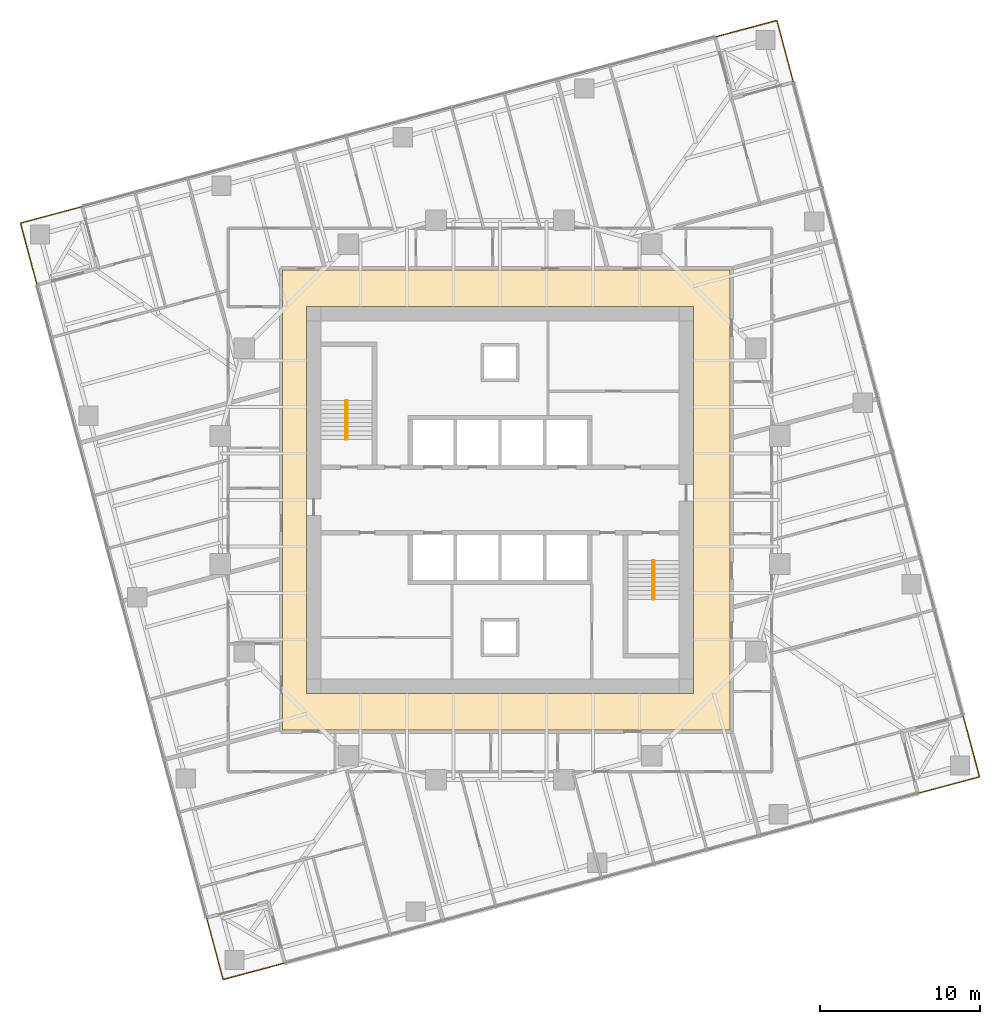
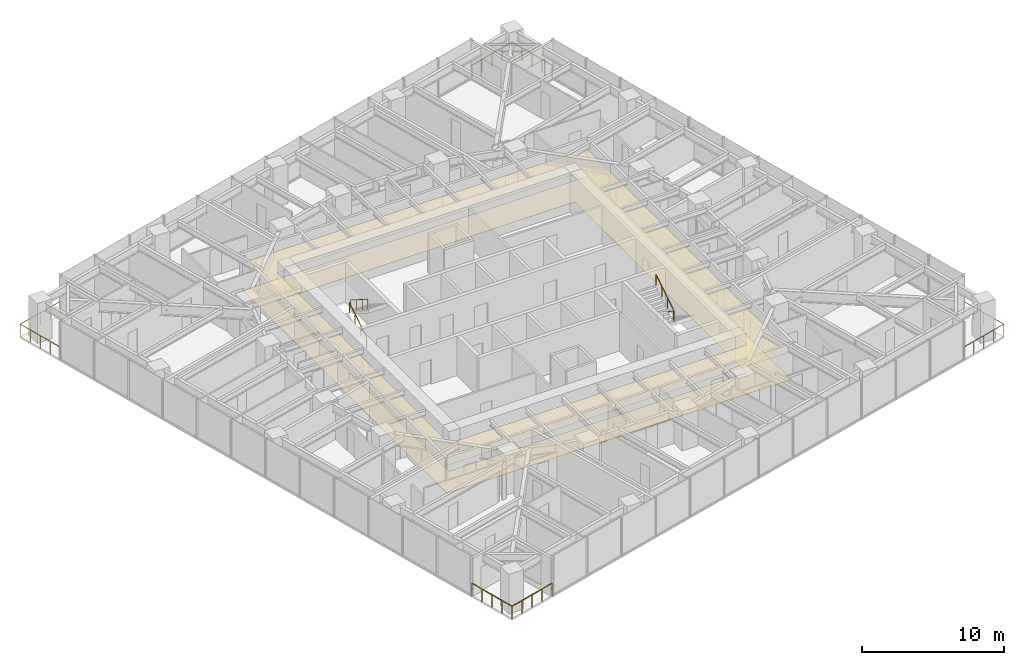
# One storey, part 13 of 13: 8 railings, 2 coverings, 2 elements without a shape of their own.
"""IFC4 building model written with IfcOpenShell, lengths in metres."""

from ifc_helpers import new_model, si_unit, direction, frame, origin, origin_2d, place, context, subcontext, project, spatial, polyline, circle, outline, extrude, material, layer, layer_set, type_object, element, aggregate, save


model = new_model("IFC4")

# Units and contexts
model_context = context("Model", 3, precision=1e-05, world=origin(), true_north=direction((0.0, 1.0)))
body_context = subcontext(model_context, "Body", "Model", "MODEL_VIEW")
ifc_project = project(units=[si_unit("LENGTHUNIT", "METRE"), si_unit("AREAUNIT", "SQUARE_METRE"), si_unit("VOLUMEUNIT", "CUBIC_METRE"), si_unit("PLANEANGLEUNIT", "RADIAN"), si_unit("MASSUNIT", "GRAM", prefix="KILO")], contexts=[model_context])

# Site, building, storey
site_placement = place(None, origin())
site = spatial("IfcSite", under=ifc_project, at=site_placement, CompositionType="ELEMENT")
building_placement = place(site_placement, origin())
building = spatial("IfcBuilding", under=site, at=building_placement, Name="Torsade Residences", CompositionType="ELEMENT")
storey_placement = place(building_placement, frame((0.0, 0.0, 115.0)))
storey = spatial("IfcBuildingStorey", under=building, at=storey_placement, Name="L31", CompositionType="ELEMENT", Elevation=115.0)

# Coverings
ifc_material_1 = material(Name="Nylon carpet tile on underlay", Category="textile")
ifc_layer_1 = layer(ifc_material_1, 0.010009765625)
ifc_layer_set_1 = layer_set([ifc_layer_1], Name="Nylon carpet tile on underlay")
covering_type_1 = type_object("IfcCoveringType", Name="CORRIDOR CARPET TILE 10", PredefinedType="FLOORING", material=ifc_layer_set_1)
covering_1_placement = place(storey_placement, origin())
element("IfcCovering", 1, at=covering_1_placement, inside=storey, type_object=covering_type_1, Name="Corridor carpet L31", PredefinedType="FLOORING", context=body_context, shape_type="SweptSolid", body=[
    extrude(outline(polyline([(54.39990234375, 15.60009765625), (54.39990234375, 44.39990234375), (26.39990234375, 44.39990234375), (26.39990234375, 15.60009765625), (54.39990234375, 15.60009765625)]), holes=[polyline([(52.10009765625, 42.10009765625), (27.89990234375, 42.10009765625), (27.89990234375, 17.89990234375), (52.10009765625, 17.89990234375), (52.10009765625, 42.10009765625)])]), origin(), (0.0, 0.0, 1.0), 0.010009765625),
])
ifc_material_2 = material(Name="Plasterboard on suspended steel grid", Category="steel")
ifc_layer_2 = layer(ifc_material_2, 0.012939453125)
ifc_layer_set_2 = layer_set([ifc_layer_2], Name="Plasterboard on suspended steel grid")
covering_type_2 = type_object("IfcCoveringType", Name="CORRIDOR SUSPENDED CEILING 13", PredefinedType="CEILING", material=ifc_layer_set_2)
covering_2_placement = place(storey_placement, frame((0.0, 0.0, 2.39990234375)))
element("IfcCovering", 2, at=covering_2_placement, inside=storey, type_object=covering_type_2, Name="Corridor ceiling L31", PredefinedType="CEILING", context=body_context, shape_type="SweptSolid", body=[
    extrude(outline(polyline([(54.39990234375, 15.60009765625), (54.39990234375, 44.39990234375), (26.39990234375, 44.39990234375), (26.39990234375, 15.60009765625), (54.39990234375, 15.60009765625)]), holes=[polyline([(52.10009765625, 42.10009765625), (27.89990234375, 42.10009765625), (27.89990234375, 17.89990234375), (52.10009765625, 17.89990234375), (52.10009765625, 42.10009765625)])]), origin(), (0.0, 0.0, 1.0), 0.01318359375),
])

# Stair, railings
ifc_material_3 = material(Name="Precast concrete 40 MPa", Category="concrete")
stair_type = type_object("IfcStairType", Name="HALF-TURN FIRE STAIR 1500x3400", PredefinedType="HALF_TURN_STAIR", material=ifc_material_3)
stair_1_placement = place(storey_placement, origin())
stair_1 = element("IfcStair", 3, at=stair_1_placement, inside=storey, type_object=stair_type, Name="Stair ST1 L31", PredefinedType="HALF_TURN_STAIR")
ifc_material_4 = material(Name="Steel handrail", Category="steel")
railing_type_1 = type_object("IfcRailingType", Name="STAIR HANDRAIL 900", PredefinedType="HANDRAIL", material=ifc_material_4)
railing_1_placement = place(storey_placement, frame((30.35009765625, 33.780029296875, 0.169921875)))
railing_1 = element("IfcRailing", 4, at=railing_1_placement, type_object=railing_type_1, Name="Handrail ST1 flight 1 L31", PredefinedType="HANDRAIL", context=body_context, shape_type="SweptSolid", body=[
    extrude(circle(Radius=0.02392578125, at=origin_2d()), frame((0.0, 0.0, 0.8759765625), z_axis=(0.0, 0.846221481393, 0.532831309544), x_axis=(-1.0, 0.0, 0.0)), (0.0, 0.0, 1.0), 2.87158203125),
    extrude(circle(Radius=0.02099609375, at=origin_2d()), origin(), (0.0, 0.0, 1.0), 0.851806640625),
    extrude(circle(Radius=0.02099609375, at=origin_2d()), frame((0.0, 0.81005859375, 0.510009765625)), (0.0, 0.0, 1.0), 0.851806640625),
    extrude(circle(Radius=0.02099609375, at=origin_2d()), frame((0.0, 1.619873046875, 1.02001953125)), (0.0, 0.0, 1.0), 0.851806640625),
    extrude(circle(Radius=0.02099609375, at=origin_2d()), frame((0.0, 2.429931640625, 1.530029296875)), (0.0, 0.0, 1.0), 0.851806640625),
])
railing_2_placement = place(storey_placement, frame((30.449951171875, 36.2099609375, 1.8701171875)))
railing_2 = element("IfcRailing", 5, at=railing_2_placement, type_object=railing_type_1, Name="Handrail ST1 flight 2 L31", PredefinedType="HANDRAIL", context=body_context, shape_type="SweptSolid", body=[
    extrude(circle(Radius=0.02392578125, at=origin_2d()), frame((0.0, 0.0, 0.8759765625), z_axis=(0.0, -0.846259816676, 0.532770422113), x_axis=(1.0, 0.0, 0.0)), (0.0, 0.0, 1.0), 2.871337890625),
    extrude(circle(Radius=0.02099609375, at=origin_2d()), origin(), (0.0, 0.0, 1.0), 0.851806640625),
    extrude(circle(Radius=0.02099609375, at=origin_2d()), frame((0.0, -0.81005859375, 0.510009765625)), (0.0, 0.0, 1.0), 0.851806640625),
    extrude(circle(Radius=0.02099609375, at=origin_2d()), frame((0.0, -1.619873046875, 1.019775390625)), (0.0, 0.0, 1.0), 0.851806640625),
    extrude(circle(Radius=0.02099609375, at=origin_2d()), frame((0.0, -2.429931640625, 1.52978515625)), (0.0, 0.0, 1.0), 0.851806640625),
])
aggregate(stair_1, [railing_1, railing_2])

stair_2_placement = place(storey_placement, origin())
stair_2 = element("IfcStair", 6, at=stair_2_placement, inside=storey, type_object=stair_type, Name="Stair ST2 L31", PredefinedType="HALF_TURN_STAIR")
railing_3_placement = place(storey_placement, frame((49.64990234375, 26.219970703125, 0.169921875)))
railing_3 = element("IfcRailing", 7, at=railing_3_placement, type_object=railing_type_1, Name="Handrail ST2 flight 1 L31", PredefinedType="HANDRAIL", context=body_context, shape_type="SweptSolid", body=[
    extrude(circle(Radius=0.02392578125, at=origin_2d()), frame((0.0, 0.0, 0.8759765625), z_axis=(0.0, -0.846221481393, 0.532831309544), x_axis=(1.0, 0.0, 0.0)), (0.0, 0.0, 1.0), 2.87158203125),
    extrude(circle(Radius=0.02099609375, at=origin_2d()), origin(), (0.0, 0.0, 1.0), 0.851806640625),
    extrude(circle(Radius=0.02099609375, at=origin_2d()), frame((0.0, -0.81005859375, 0.510009765625)), (0.0, 0.0, 1.0), 0.851806640625),
    extrude(circle(Radius=0.02099609375, at=origin_2d()), frame((0.0, -1.619873046875, 1.02001953125)), (0.0, 0.0, 1.0), 0.851806640625),
    extrude(circle(Radius=0.02099609375, at=origin_2d()), frame((0.0, -2.429931640625, 1.530029296875)), (0.0, 0.0, 1.0), 0.851806640625),
])
railing_4_placement = place(storey_placement, frame((49.550048828125, 23.7900390625, 1.8701171875)))
railing_4 = element("IfcRailing", 8, at=railing_4_placement, type_object=railing_type_1, Name="Handrail ST2 flight 2 L31", PredefinedType="HANDRAIL", context=body_context, shape_type="SweptSolid", body=[
    extrude(circle(Radius=0.02392578125, at=origin_2d()), frame((0.0, 0.0, 0.8759765625), z_axis=(0.0, 0.846259816676, 0.532770422113), x_axis=(-1.0, 0.0, 0.0)), (0.0, 0.0, 1.0), 2.871337890625),
    extrude(circle(Radius=0.02099609375, at=origin_2d()), origin(), (0.0, 0.0, 1.0), 0.851806640625),
    extrude(circle(Radius=0.02099609375, at=origin_2d()), frame((0.0, 0.81005859375, 0.510009765625)), (0.0, 0.0, 1.0), 0.851806640625),
    extrude(circle(Radius=0.02099609375, at=origin_2d()), frame((0.0, 1.619873046875, 1.019775390625)), (0.0, 0.0, 1.0), 0.851806640625),
    extrude(circle(Radius=0.02099609375, at=origin_2d()), frame((0.0, 2.429931640625, 1.52978515625)), (0.0, 0.0, 1.0), 0.851806640625),
])
aggregate(stair_2, [railing_3, railing_4])

# Railings
ifc_material_5 = material(Name="Laminated glass balustrade", Category="glass")
railing_type_2 = type_object("IfcRailingType", Name="TERRACE GLASS BALUSTRADE 1100", PredefinedType="BALUSTRADE", material=ifc_material_5)
railing_5_placement = place(storey_placement, frame((66.142578125, 11.640625, 0.0)))
element("IfcRailing", 9, at=railing_5_placement, inside=storey, type_object=railing_type_2, Name="Terrace balustrade SE L31", PredefinedType="BALUSTRADE", context=body_context, shape_type="SweptSolid", body=[
    extrude(circle(Radius=0.02392578125, at=origin_2d()), frame((0.0, 0.0, 1.076171875), z_axis=(0.965934430412, 0.258786931944, 0.0), x_axis=(-0.258786931944, 0.965934430412, 0.0)), (0.0, 0.0, 1.0), 4.0),
    extrude(circle(Radius=0.02392578125, at=origin_2d()), frame((3.86376953125, 1.03515625, 1.076171875), z_axis=(-0.258843877716, 0.965919172068, 0.0), x_axis=(-0.965919172068, -0.258843877716, 0.0)), (0.0, 0.0, 1.0), 4.0),
    extrude(circle(Radius=0.02099609375, at=origin_2d()), origin(), (0.0, 0.0, 1.0), 1.052001953125),
    extrude(circle(Radius=0.02099609375, at=origin_2d()), frame((0.9658203125, 0.2587890625, 0.0)), (0.0, 0.0, 1.0), 1.052001953125),
    extrude(circle(Radius=0.02099609375, at=origin_2d()), frame((1.931884765625, 0.517578125, 0.0)), (0.0, 0.0, 1.0), 1.052001953125),
    extrude(circle(Radius=0.02099609375, at=origin_2d()), frame((2.89794921875, 0.7763671875, 0.0)), (0.0, 0.0, 1.0), 1.052001953125),
    extrude(circle(Radius=0.02099609375, at=origin_2d()), frame((3.86376953125, 1.03515625, 0.0)), (0.0, 0.0, 1.0), 1.052001953125),
    extrude(circle(Radius=0.02099609375, at=origin_2d()), frame((3.60498046875, 2.0009765625, 0.0)), (0.0, 0.0, 1.0), 1.052001953125),
    extrude(circle(Radius=0.02099609375, at=origin_2d()), frame((3.34619140625, 2.967041015625, 0.0)), (0.0, 0.0, 1.0), 1.052001953125),
    extrude(circle(Radius=0.02099609375, at=origin_2d()), frame((3.087158203125, 3.93310546875, 0.0)), (0.0, 0.0, 1.0), 1.052001953125),
    extrude(circle(Radius=0.02099609375, at=origin_2d()), frame((2.828369140625, 4.89892578125, 0.0)), (0.0, 0.0, 1.0), 1.052001953125),
])
railing_6_placement = place(storey_placement, frame((58.359375, 56.142578125, 0.0)))
element("IfcRailing", 10, at=railing_6_placement, inside=storey, type_object=railing_type_2, Name="Terrace balustrade NE L31", PredefinedType="BALUSTRADE", context=body_context, shape_type="SweptSolid", body=[
    extrude(circle(Radius=0.02392578125, at=origin_2d()), frame((0.0, 0.0, 1.076171875), z_axis=(-0.258786931944, 0.965934430412, 0.0), x_axis=(-0.965934430412, -0.258786931944, 0.0)), (0.0, 0.0, 1.0), 4.0),
    extrude(circle(Radius=0.02392578125, at=origin_2d()), frame((-1.03515625, 3.86376953125, 1.076171875), z_axis=(-0.965919172068, -0.258843877716, 0.0), x_axis=(0.258843877716, -0.965919172068, 0.0)), (0.0, 0.0, 1.0), 4.0),
    extrude(circle(Radius=0.02099609375, at=origin_2d()), origin(), (0.0, 0.0, 1.0), 1.052001953125),
    extrude(circle(Radius=0.02099609375, at=origin_2d()), frame((-0.2587890625, 0.9658203125, 0.0)), (0.0, 0.0, 1.0), 1.052001953125),
    extrude(circle(Radius=0.02099609375, at=origin_2d()), frame((-0.517578125, 1.931884765625, 0.0)), (0.0, 0.0, 1.0), 1.052001953125),
    extrude(circle(Radius=0.02099609375, at=origin_2d()), frame((-0.7763671875, 2.89794921875, 0.0)), (0.0, 0.0, 1.0), 1.052001953125),
    extrude(circle(Radius=0.02099609375, at=origin_2d()), frame((-1.03515625, 3.86376953125, 0.0)), (0.0, 0.0, 1.0), 1.052001953125),
    extrude(circle(Radius=0.02099609375, at=origin_2d()), frame((-2.0009765625, 3.60498046875, 0.0)), (0.0, 0.0, 1.0), 1.052001953125),
    extrude(circle(Radius=0.02099609375, at=origin_2d()), frame((-2.967041015625, 3.34619140625, 0.0)), (0.0, 0.0, 1.0), 1.052001953125),
    extrude(circle(Radius=0.02099609375, at=origin_2d()), frame((-3.93310546875, 3.087158203125, 0.0)), (0.0, 0.0, 1.0), 1.052001953125),
    extrude(circle(Radius=0.02099609375, at=origin_2d()), frame((-4.89892578125, 2.828369140625, 0.0)), (0.0, 0.0, 1.0), 1.052001953125),
])
railing_7_placement = place(storey_placement, frame((13.857421875, 48.359375, 0.0)))
element("IfcRailing", 11, at=railing_7_placement, inside=storey, type_object=railing_type_2, Name="Terrace balustrade NW L31", PredefinedType="BALUSTRADE", context=body_context, shape_type="SweptSolid", body=[
    extrude(circle(Radius=0.02392578125, at=origin_2d()), frame((0.0, 0.0, 1.076171875), z_axis=(-0.965934430412, -0.258786931944, 0.0), x_axis=(0.258786931944, -0.965934430412, 0.0)), (0.0, 0.0, 1.0), 4.0),
    extrude(circle(Radius=0.02392578125, at=origin_2d()), frame((-3.86376953125, -1.03515625, 1.076171875), z_axis=(0.258843877716, -0.965919172068, 0.0), x_axis=(0.965919172068, 0.258843877716, 0.0)), (0.0, 0.0, 1.0), 4.0),
    extrude(circle(Radius=0.02099609375, at=origin_2d()), origin(), (0.0, 0.0, 1.0), 1.052001953125),
    extrude(circle(Radius=0.02099609375, at=origin_2d()), frame((-0.9658203125, -0.2587890625, 0.0)), (0.0, 0.0, 1.0), 1.052001953125),
    extrude(circle(Radius=0.02099609375, at=origin_2d()), frame((-1.931884765625, -0.517578125, 0.0)), (0.0, 0.0, 1.0), 1.052001953125),
    extrude(circle(Radius=0.02099609375, at=origin_2d()), frame((-2.89794921875, -0.7763671875, 0.0)), (0.0, 0.0, 1.0), 1.052001953125),
    extrude(circle(Radius=0.02099609375, at=origin_2d()), frame((-3.86376953125, -1.03515625, 0.0)), (0.0, 0.0, 1.0), 1.052001953125),
    extrude(circle(Radius=0.02099609375, at=origin_2d()), frame((-3.60498046875, -2.0009765625, 0.0)), (0.0, 0.0, 1.0), 1.052001953125),
    extrude(circle(Radius=0.02099609375, at=origin_2d()), frame((-3.34619140625, -2.967041015625, 0.0)), (0.0, 0.0, 1.0), 1.052001953125),
    extrude(circle(Radius=0.02099609375, at=origin_2d()), frame((-3.087158203125, -3.93310546875, 0.0)), (0.0, 0.0, 1.0), 1.052001953125),
    extrude(circle(Radius=0.02099609375, at=origin_2d()), frame((-2.828369140625, -4.89892578125, 0.0)), (0.0, 0.0, 1.0), 1.052001953125),
])
railing_8_placement = place(storey_placement, frame((21.640625, 3.857421875, 0.0)))
element("IfcRailing", 12, at=railing_8_placement, inside=storey, type_object=railing_type_2, Name="Terrace balustrade SW L31", PredefinedType="BALUSTRADE", context=body_context, shape_type="SweptSolid", body=[
    extrude(circle(Radius=0.02392578125, at=origin_2d()), frame((0.0, 0.0, 1.076171875), z_axis=(0.258786931944, -0.965934430412, 0.0), x_axis=(0.965934430412, 0.258786931944, 0.0)), (0.0, 0.0, 1.0), 4.0),
    extrude(circle(Radius=0.02392578125, at=origin_2d()), frame((1.03515625, -3.86376953125, 1.076171875), z_axis=(0.965919172068, 0.258843877716, 0.0), x_axis=(-0.258843877716, 0.965919172068, 0.0)), (0.0, 0.0, 1.0), 4.0),
    extrude(circle(Radius=0.02099609375, at=origin_2d()), origin(), (0.0, 0.0, 1.0), 1.052001953125),
    extrude(circle(Radius=0.02099609375, at=origin_2d()), frame((0.2587890625, -0.9658203125, 0.0)), (0.0, 0.0, 1.0), 1.052001953125),
    extrude(circle(Radius=0.02099609375, at=origin_2d()), frame((0.517578125, -1.931884765625, 0.0)), (0.0, 0.0, 1.0), 1.052001953125),
    extrude(circle(Radius=0.02099609375, at=origin_2d()), frame((0.7763671875, -2.89794921875, 0.0)), (0.0, 0.0, 1.0), 1.052001953125),
    extrude(circle(Radius=0.02099609375, at=origin_2d()), frame((1.03515625, -3.86376953125, 0.0)), (0.0, 0.0, 1.0), 1.052001953125),
    extrude(circle(Radius=0.02099609375, at=origin_2d()), frame((2.0009765625, -3.60498046875, 0.0)), (0.0, 0.0, 1.0), 1.052001953125),
    extrude(circle(Radius=0.02099609375, at=origin_2d()), frame((2.967041015625, -3.34619140625, 0.0)), (0.0, 0.0, 1.0), 1.052001953125),
    extrude(circle(Radius=0.02099609375, at=origin_2d()), frame((3.93310546875, -3.087158203125, 0.0)), (0.0, 0.0, 1.0), 1.052001953125),
    extrude(circle(Radius=0.02099609375, at=origin_2d()), frame((4.89892578125, -2.828369140625, 0.0)), (0.0, 0.0, 1.0), 1.052001953125),
])

save(model, "model.ifc")
